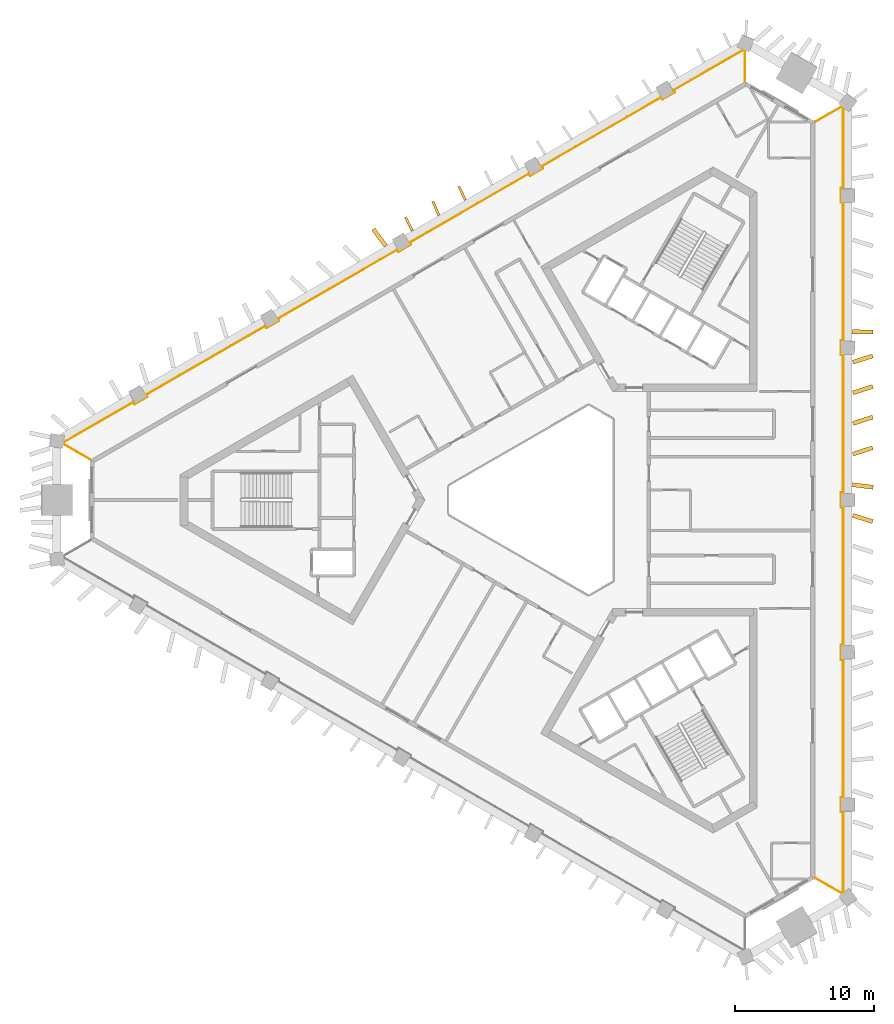
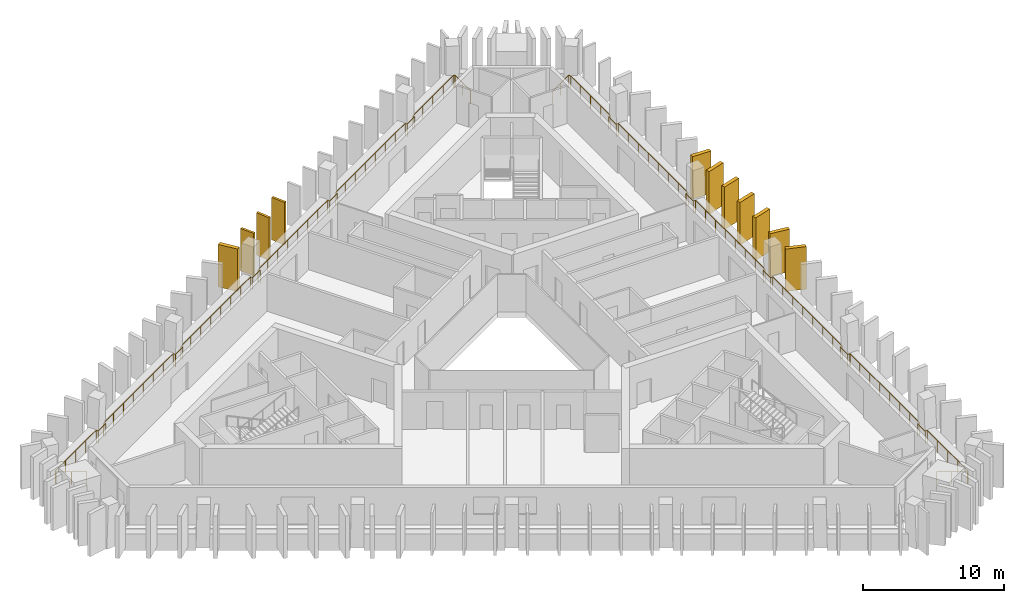
# One storey, part 9 of 10: 11 shading devices, 2 railings.
"""IFC4 building model written with IfcOpenShell, lengths in metres."""

from ifc_helpers import new_model, si_unit, direction, frame, frame_2d, origin, origin_2d, place, context, subcontext, project, spatial, rectangle, circle, extrude, material, layer, layer_set, type_object, element, save


model = new_model("IFC4")

# Units and contexts
model_context = context("Model", 3, precision=1e-05, world=origin(), true_north=direction((0.0, 1.0)))
body_context = subcontext(model_context, "Body", "Model", "MODEL_VIEW")
ifc_project = project(units=[si_unit("LENGTHUNIT", "METRE"), si_unit("AREAUNIT", "SQUARE_METRE"), si_unit("VOLUMEUNIT", "CUBIC_METRE"), si_unit("PLANEANGLEUNIT", "RADIAN"), si_unit("MASSUNIT", "GRAM", prefix="KILO")], contexts=[model_context])

# Site, building, storey
site_placement = place(None, origin())
site = spatial("IfcSite", under=ifc_project, at=site_placement, CompositionType="ELEMENT")
building_placement = place(site_placement, origin())
building = spatial("IfcBuilding", under=site, at=building_placement, Name="Jabali Bay Hotel Tower and Convention Centre", CompositionType="ELEMENT")
storey_placement = place(building_placement, frame((0.0, 0.0, 160.0)))
storey = spatial("IfcBuildingStorey", under=building, at=storey_placement, Name="L38", CompositionType="ELEMENT", Elevation=160.0)

# Railings
ifc_material_1 = material(Name="Glass", Category="glass")
railing_type = type_object("IfcRailingType", Name="Loggia glass guard 1100", PredefinedType="BALUSTRADE", material=ifc_material_1)
railing_1_placement = place(storey_placement, frame((94.075439453125, 107.197509765625, 0.0)))
element("IfcRailing", 1, at=railing_1_placement, inside=storey, type_object=railing_type, Name="Loggia glass guard L38", PredefinedType="BALUSTRADE", context=body_context, shape_type="SweptSolid", body=[
    extrude(circle(Radius=0.02490234375, at=origin_2d()), frame((0.0, 0.0, 1.0751953125), z_axis=(0.866055796367, 0.499947354807, 0.0), x_axis=(-0.495670235881, 0.858646568971, 0.13052619222)), (0.0, 0.0, 1.0), 2.192626953125),
    extrude(circle(Radius=0.02490234375, at=origin_2d()), frame((1.89892578125, 1.09619140625, 1.0751953125), z_axis=(0.801391566162, -0.598140081991, 0.0), x_axis=(0.593022910671, 0.79453555022, 0.13052619222)), (0.0, 0.0, 1.0), 0.126220703125),
    extrude(circle(Radius=0.02490234375, at=origin_2d()), frame((2.0, 1.020751953125, 1.0751953125), z_axis=(0.0, -1.0, 0.0), x_axis=(0.991444861374, 0.0, 0.13052619222)), (0.0, 0.0, 1.0), 5.785888671875),
    extrude(circle(Radius=0.02490234375, at=origin_2d()), frame((2.0, -4.76513671875, 1.0751953125), z_axis=(-1.0, 0.0, 0.0), x_axis=(0.0, -0.991444861374, 0.13052619222)), (0.0, 0.0, 1.0), 0.175048828125),
    extrude(circle(Radius=0.02490234375, at=origin_2d()), frame((1.824951171875, -4.76513671875, 1.0751953125), z_axis=(0.0, -1.0, 0.0), x_axis=(0.991444861374, 0.0, 0.13052619222)), (0.0, 0.0, 1.0), 1.050048828125),
    extrude(circle(Radius=0.02490234375, at=origin_2d()), frame((1.824951171875, -5.815185546875, 1.0751953125), z_axis=(1.0, 0.0, 0.0), x_axis=(0.0, 0.991444861374, 0.13052619222)), (0.0, 0.0, 1.0), 0.175048828125),
    extrude(circle(Radius=0.02490234375, at=origin_2d()), frame((2.0, -5.815185546875, 1.0751953125), z_axis=(0.0, -1.0, 0.0), x_axis=(0.991444861374, 0.0, 0.13052619222)), (0.0, 0.0, 1.0), 9.903564453125),
    extrude(circle(Radius=0.02490234375, at=origin_2d()), frame((2.0, -15.71875, 1.0751953125), z_axis=(-1.0, 0.0, 0.0), x_axis=(0.0, -0.991444861374, 0.13052619222)), (0.0, 0.0, 1.0), 0.175048828125),
    extrude(circle(Radius=0.02490234375, at=origin_2d()), frame((1.824951171875, -15.71875, 1.0751953125), z_axis=(0.0, -1.0, 0.0), x_axis=(0.991444861374, 0.0, 0.13052619222)), (0.0, 0.0, 1.0), 1.050048828125),
    extrude(circle(Radius=0.02490234375, at=origin_2d()), frame((1.824951171875, -16.768798828125, 1.0751953125), z_axis=(1.0, 0.0, 0.0), x_axis=(0.0, 0.991444861374, 0.13052619222)), (0.0, 0.0, 1.0), 0.175048828125),
    extrude(circle(Radius=0.02490234375, at=origin_2d()), frame((2.0, -16.768798828125, 1.0751953125), z_axis=(0.0, -1.0, 0.0), x_axis=(0.991444861374, 0.0, 0.13052619222)), (0.0, 0.0, 1.0), 9.90380859375),
    extrude(circle(Radius=0.02490234375, at=origin_2d()), frame((2.0, -26.672607421875, 1.0751953125), z_axis=(-1.0, 0.0, 0.0), x_axis=(0.0, -0.991444861374, 0.13052619222)), (0.0, 0.0, 1.0), 0.175048828125),
    extrude(circle(Radius=0.02490234375, at=origin_2d()), frame((1.824951171875, -26.672607421875, 1.0751953125), z_axis=(0.0, -1.0, 0.0), x_axis=(0.991444861374, 0.0, 0.13052619222)), (0.0, 0.0, 1.0), 1.0498046875),
    extrude(circle(Radius=0.02490234375, at=origin_2d()), frame((1.824951171875, -27.722412109375, 1.0751953125), z_axis=(1.0, 0.0, 0.0), x_axis=(0.0, 0.991444861374, 0.13052619222)), (0.0, 0.0, 1.0), 0.175048828125),
    extrude(circle(Radius=0.02490234375, at=origin_2d()), frame((2.0, -27.722412109375, 1.0751953125), z_axis=(0.0, -1.0, 0.0), x_axis=(0.991444861374, 0.0, 0.13052619222)), (0.0, 0.0, 1.0), 9.90380859375),
    extrude(circle(Radius=0.02490234375, at=origin_2d()), frame((2.0, -37.626220703125, 1.0751953125), z_axis=(-1.0, 0.0, 0.0), x_axis=(0.0, -0.991444861374, 0.13052619222)), (0.0, 0.0, 1.0), 0.175048828125),
    extrude(circle(Radius=0.02490234375, at=origin_2d()), frame((1.824951171875, -37.626220703125, 1.0751953125), z_axis=(0.0, -1.0, 0.0), x_axis=(0.991444861374, 0.0, 0.13052619222)), (0.0, 0.0, 1.0), 1.050048828125),
    extrude(circle(Radius=0.02490234375, at=origin_2d()), frame((1.824951171875, -38.67626953125, 1.0751953125), z_axis=(1.0, 0.0, 0.0), x_axis=(0.0, 0.991444861374, 0.13052619222)), (0.0, 0.0, 1.0), 0.175048828125),
    extrude(circle(Radius=0.02490234375, at=origin_2d()), frame((2.0, -38.67626953125, 1.0751953125), z_axis=(0.0, -1.0, 0.0), x_axis=(0.991444861374, 0.0, 0.13052619222)), (0.0, 0.0, 1.0), 9.903564453125),
    extrude(circle(Radius=0.02490234375, at=origin_2d()), frame((2.0, -48.579833984375, 1.0751953125), z_axis=(-1.0, 0.0, 0.0), x_axis=(0.0, -0.991444861374, 0.13052619222)), (0.0, 0.0, 1.0), 0.175048828125),
    extrude(circle(Radius=0.02490234375, at=origin_2d()), frame((1.824951171875, -48.579833984375, 1.0751953125), z_axis=(0.0, -1.0, 0.0), x_axis=(0.991444861374, 0.0, 0.13052619222)), (0.0, 0.0, 1.0), 1.050048828125),
    extrude(circle(Radius=0.02490234375, at=origin_2d()), frame((1.824951171875, -49.6298828125, 1.0751953125), z_axis=(1.0, 0.0, 0.0), x_axis=(0.0, 0.991444861374, 0.13052619222)), (0.0, 0.0, 1.0), 0.175048828125),
    extrude(circle(Radius=0.02490234375, at=origin_2d()), frame((2.0, -49.6298828125, 1.0751953125), z_axis=(0.0, -1.0, 0.0), x_axis=(0.991444861374, 0.0, 0.13052619222)), (0.0, 0.0, 1.0), 5.785888671875),
    extrude(circle(Radius=0.02490234375, at=origin_2d()), frame((2.0, -55.415771484375, 1.0751953125), z_axis=(-0.801391566162, -0.598140081991, 0.0), x_axis=(0.593022910671, -0.79453555022, 0.13052619222)), (0.0, 0.0, 1.0), 0.126220703125),
    extrude(circle(Radius=0.02490234375, at=origin_2d()), frame((1.89892578125, -55.4912109375, 1.0751953125), z_axis=(-0.866055796367, 0.499947354807, 0.0), x_axis=(-0.495670235881, -0.858646568971, 0.13052619222)), (0.0, 0.0, 1.0), 2.192626953125),
    extrude(circle(Radius=0.02001953125, at=origin_2d()), origin(), (0.0, 0.0, 1.0), 1.050048828125),
    extrude(circle(Radius=0.02001953125, at=origin_2d()), frame((0.949462890625, 0.548095703125, 0.0)), (0.0, 0.0, 1.0), 1.050048828125),
    extrude(circle(Radius=0.02001953125, at=origin_2d()), frame((1.89892578125, 1.09619140625, 0.0)), (0.0, 0.0, 1.0), 1.050048828125),
    extrude(circle(Radius=0.02001953125, at=origin_2d()), frame((2.0, 1.020751953125, 0.0)), (0.0, 0.0, 1.0), 1.050048828125),
    extrude(circle(Radius=0.02001953125, at=origin_2d()), frame((2.0, -0.42578125, 0.0)), (0.0, 0.0, 1.0), 1.050048828125),
    extrude(circle(Radius=0.02001953125, at=origin_2d()), frame((2.0, -1.8720703125, 0.0)), (0.0, 0.0, 1.0), 1.050048828125),
    extrude(circle(Radius=0.02001953125, at=origin_2d()), frame((2.0, -3.318603515625, 0.0)), (0.0, 0.0, 1.0), 1.050048828125),
    extrude(circle(Radius=0.02001953125, at=origin_2d()), frame((2.0, -4.76513671875, 0.0)), (0.0, 0.0, 1.0), 1.050048828125),
    extrude(circle(Radius=0.02001953125, at=origin_2d()), frame((1.824951171875, -4.76513671875, 0.0)), (0.0, 0.0, 1.0), 1.050048828125),
    extrude(circle(Radius=0.02001953125, at=origin_2d()), frame((1.824951171875, -5.815185546875, 0.0)), (0.0, 0.0, 1.0), 1.050048828125),
    extrude(circle(Radius=0.02001953125, at=origin_2d()), frame((2.0, -5.815185546875, 0.0)), (0.0, 0.0, 1.0), 1.050048828125),
    extrude(circle(Radius=0.02001953125, at=origin_2d()), frame((2.0, -7.22998046875, 0.0)), (0.0, 0.0, 1.0), 1.050048828125),
    extrude(circle(Radius=0.02001953125, at=origin_2d()), frame((2.0, -8.644775390625, 0.0)), (0.0, 0.0, 1.0), 1.050048828125),
    extrude(circle(Radius=0.02001953125, at=origin_2d()), frame((2.0, -10.0595703125, 0.0)), (0.0, 0.0, 1.0), 1.050048828125),
    extrude(circle(Radius=0.02001953125, at=origin_2d()), frame((2.0, -11.474365234375, 0.0)), (0.0, 0.0, 1.0), 1.050048828125),
    extrude(circle(Radius=0.02001953125, at=origin_2d()), frame((2.0, -12.88916015625, 0.0)), (0.0, 0.0, 1.0), 1.050048828125),
    extrude(circle(Radius=0.02001953125, at=origin_2d()), frame((2.0, -14.303955078125, 0.0)), (0.0, 0.0, 1.0), 1.050048828125),
    extrude(circle(Radius=0.02001953125, at=origin_2d()), frame((2.0, -15.71875, 0.0)), (0.0, 0.0, 1.0), 1.050048828125),
    extrude(circle(Radius=0.02001953125, at=origin_2d()), frame((1.824951171875, -15.71875, 0.0)), (0.0, 0.0, 1.0), 1.050048828125),
    extrude(circle(Radius=0.02001953125, at=origin_2d()), frame((1.824951171875, -16.768798828125, 0.0)), (0.0, 0.0, 1.0), 1.050048828125),
    extrude(circle(Radius=0.02001953125, at=origin_2d()), frame((2.0, -16.768798828125, 0.0)), (0.0, 0.0, 1.0), 1.050048828125),
    extrude(circle(Radius=0.02001953125, at=origin_2d()), frame((2.0, -18.18359375, 0.0)), (0.0, 0.0, 1.0), 1.050048828125),
    extrude(circle(Radius=0.02001953125, at=origin_2d()), frame((2.0, -19.598388671875, 0.0)), (0.0, 0.0, 1.0), 1.050048828125),
    extrude(circle(Radius=0.02001953125, at=origin_2d()), frame((2.0, -21.01318359375, 0.0)), (0.0, 0.0, 1.0), 1.050048828125),
    extrude(circle(Radius=0.02001953125, at=origin_2d()), frame((2.0, -22.42822265625, 0.0)), (0.0, 0.0, 1.0), 1.050048828125),
    extrude(circle(Radius=0.02001953125, at=origin_2d()), frame((2.0, -23.843017578125, 0.0)), (0.0, 0.0, 1.0), 1.050048828125),
    extrude(circle(Radius=0.02001953125, at=origin_2d()), frame((2.0, -25.2578125, 0.0)), (0.0, 0.0, 1.0), 1.050048828125),
    extrude(circle(Radius=0.02001953125, at=origin_2d()), frame((2.0, -26.672607421875, 0.0)), (0.0, 0.0, 1.0), 1.050048828125),
    extrude(circle(Radius=0.02001953125, at=origin_2d()), frame((1.824951171875, -26.672607421875, 0.0)), (0.0, 0.0, 1.0), 1.050048828125),
    extrude(circle(Radius=0.02001953125, at=origin_2d()), frame((1.824951171875, -27.722412109375, 0.0)), (0.0, 0.0, 1.0), 1.050048828125),
    extrude(circle(Radius=0.02001953125, at=origin_2d()), frame((2.0, -27.722412109375, 0.0)), (0.0, 0.0, 1.0), 1.050048828125),
    extrude(circle(Radius=0.02001953125, at=origin_2d()), frame((2.0, -29.13720703125, 0.0)), (0.0, 0.0, 1.0), 1.050048828125),
    extrude(circle(Radius=0.02001953125, at=origin_2d()), frame((2.0, -30.552001953125, 0.0)), (0.0, 0.0, 1.0), 1.050048828125),
    extrude(circle(Radius=0.02001953125, at=origin_2d()), frame((2.0, -31.966796875, 0.0)), (0.0, 0.0, 1.0), 1.050048828125),
    extrude(circle(Radius=0.02001953125, at=origin_2d()), frame((2.0, -33.3818359375, 0.0)), (0.0, 0.0, 1.0), 1.050048828125),
    extrude(circle(Radius=0.02001953125, at=origin_2d()), frame((2.0, -34.796630859375, 0.0)), (0.0, 0.0, 1.0), 1.050048828125),
    extrude(circle(Radius=0.02001953125, at=origin_2d()), frame((2.0, -36.21142578125, 0.0)), (0.0, 0.0, 1.0), 1.050048828125),
    extrude(circle(Radius=0.02001953125, at=origin_2d()), frame((2.0, -37.626220703125, 0.0)), (0.0, 0.0, 1.0), 1.050048828125),
    extrude(circle(Radius=0.02001953125, at=origin_2d()), frame((1.824951171875, -37.626220703125, 0.0)), (0.0, 0.0, 1.0), 1.050048828125),
    extrude(circle(Radius=0.02001953125, at=origin_2d()), frame((1.824951171875, -38.67626953125, 0.0)), (0.0, 0.0, 1.0), 1.050048828125),
    extrude(circle(Radius=0.02001953125, at=origin_2d()), frame((2.0, -38.67626953125, 0.0)), (0.0, 0.0, 1.0), 1.050048828125),
    extrude(circle(Radius=0.02001953125, at=origin_2d()), frame((2.0, -40.091064453125, 0.0)), (0.0, 0.0, 1.0), 1.050048828125),
    extrude(circle(Radius=0.02001953125, at=origin_2d()), frame((2.0, -41.505859375, 0.0)), (0.0, 0.0, 1.0), 1.050048828125),
    extrude(circle(Radius=0.02001953125, at=origin_2d()), frame((2.0, -42.920654296875, 0.0)), (0.0, 0.0, 1.0), 1.050048828125),
    extrude(circle(Radius=0.02001953125, at=origin_2d()), frame((2.0, -44.33544921875, 0.0)), (0.0, 0.0, 1.0), 1.050048828125),
    extrude(circle(Radius=0.02001953125, at=origin_2d()), frame((2.0, -45.750244140625, 0.0)), (0.0, 0.0, 1.0), 1.050048828125),
    extrude(circle(Radius=0.02001953125, at=origin_2d()), frame((2.0, -47.1650390625, 0.0)), (0.0, 0.0, 1.0), 1.050048828125),
    extrude(circle(Radius=0.02001953125, at=origin_2d()), frame((2.0, -48.579833984375, 0.0)), (0.0, 0.0, 1.0), 1.050048828125),
    extrude(circle(Radius=0.02001953125, at=origin_2d()), frame((1.824951171875, -48.579833984375, 0.0)), (0.0, 0.0, 1.0), 1.050048828125),
    extrude(circle(Radius=0.02001953125, at=origin_2d()), frame((1.824951171875, -49.6298828125, 0.0)), (0.0, 0.0, 1.0), 1.050048828125),
    extrude(circle(Radius=0.02001953125, at=origin_2d()), frame((2.0, -49.6298828125, 0.0)), (0.0, 0.0, 1.0), 1.050048828125),
    extrude(circle(Radius=0.02001953125, at=origin_2d()), frame((2.0, -51.076416015625, 0.0)), (0.0, 0.0, 1.0), 1.050048828125),
    extrude(circle(Radius=0.02001953125, at=origin_2d()), frame((2.0, -52.52294921875, 0.0)), (0.0, 0.0, 1.0), 1.050048828125),
    extrude(circle(Radius=0.02001953125, at=origin_2d()), frame((2.0, -53.96923828125, 0.0)), (0.0, 0.0, 1.0), 1.050048828125),
    extrude(circle(Radius=0.02001953125, at=origin_2d()), frame((2.0, -55.415771484375, 0.0)), (0.0, 0.0, 1.0), 1.050048828125),
    extrude(circle(Radius=0.02001953125, at=origin_2d()), frame((1.89892578125, -55.4912109375, 0.0)), (0.0, 0.0, 1.0), 1.050048828125),
    extrude(circle(Radius=0.02001953125, at=origin_2d()), frame((0.949462890625, -54.943115234375, 0.0)), (0.0, 0.0, 1.0), 1.050048828125),
    extrude(circle(Radius=0.02001953125, at=origin_2d()), frame((0.0, -54.39501953125, 0.0)), (0.0, 0.0, 1.0), 1.050048828125),
])
railing_2_placement = place(storey_placement, frame((41.90869140625, 82.921142578125, 0.0)))
element("IfcRailing", 2, at=railing_2_placement, inside=storey, type_object=railing_type, Name="Loggia glass guard L38", PredefinedType="BALUSTRADE", context=body_context, shape_type="SweptSolid", body=[
    extrude(circle(Radius=0.02490234375, at=origin_2d()), frame((0.0, 0.0, 1.0751953125), z_axis=(-0.866007583809, 0.500030863832, 0.0), x_axis=(-0.495753030475, -0.858598768878, 0.13052619222)), (0.0, 0.0, 1.0), 2.192626953125),
    extrude(circle(Radius=0.02490234375, at=origin_2d()), frame((-1.89892578125, 1.096435546875, 1.0751953125), z_axis=(0.118076557849, 0.993004494696, 0.0), x_axis=(-0.984509203588, 0.117066396528, 0.13052619222)), (0.0, 0.0, 1.0), 0.126220703125),
    extrude(circle(Radius=0.02490234375, at=origin_2d()), frame((-1.884033203125, 1.2216796875, 1.0751953125), z_axis=(0.86603521404, 0.499983007755, 0.0), x_axis=(-0.495705583813, 0.858626162728, 0.13052619222)), (0.0, 0.0, 1.0), 5.785888671875),
    extrude(circle(Radius=0.02490234375, at=origin_2d()), frame((3.126708984375, 4.114501953125, 1.0751953125), z_axis=(0.500044870432, -0.865999496279, 0.0), x_axis=(0.858590750538, 0.495766917246, 0.13052619222)), (0.0, 0.0, 1.0), 0.1748046875),
    extrude(circle(Radius=0.02490234375, at=origin_2d()), frame((3.214111328125, 3.963134765625, 1.0751953125), z_axis=(0.866088799389, 0.499890179513, 0.0), x_axis=(-0.495613549729, 0.858679289647, 0.13052619222)), (0.0, 0.0, 1.0), 1.050048828125),
    extrude(circle(Radius=0.02490234375, at=origin_2d()), frame((4.12353515625, 4.488037109375, 1.0751953125), z_axis=(-0.500486622847, 0.865744269604, 0.0), x_axis=(-0.858337707362, -0.496204890408, 0.13052619222)), (0.0, 0.0, 1.0), 0.175048828125),
    extrude(circle(Radius=0.02490234375, at=origin_2d()), frame((4.035888671875, 4.6396484375, 1.0751953125), z_axis=(0.866034928513, 0.499983502323, 0.0), x_axis=(-0.49570607415, 0.858625879645, 0.13052619222)), (0.0, 0.0, 1.0), 9.903564453125),
    extrude(circle(Radius=0.02490234375, at=origin_2d()), frame((12.61279296875, 9.59130859375, 1.0751953125), z_axis=(0.500044870432, -0.865999496279, 0.0), x_axis=(0.858590750538, 0.495766917246, 0.13052619222)), (0.0, 0.0, 1.0), 0.1748046875),
    extrude(circle(Radius=0.02490234375, at=origin_2d()), frame((12.7001953125, 9.43994140625, 1.0751953125), z_axis=(0.866088799389, 0.499890179513, 0.0), x_axis=(-0.495613549729, 0.858679289647, 0.13052619222)), (0.0, 0.0, 1.0), 1.050048828125),
    extrude(circle(Radius=0.02490234375, at=origin_2d()), frame((13.609619140625, 9.96484375, 1.0751953125), z_axis=(-0.499440622861, 0.866348119543, 0.0), x_axis=(-0.858936391282, -0.495167839097, 0.13052619222)), (0.0, 0.0, 1.0), 0.175048828125),
    extrude(circle(Radius=0.02490234375, at=origin_2d()), frame((13.522216796875, 10.116455078125, 1.0751953125), z_axis=(0.866028765826, 0.499994176729, 0.0), x_axis=(-0.495716657234, 0.85861976968, 0.13052619222)), (0.0, 0.0, 1.0), 9.9033203125),
    extrude(circle(Radius=0.02490234375, at=origin_2d()), frame((22.098876953125, 15.068115234375, 1.0751953125), z_axis=(0.501091290591, -0.865394429433, 0.0), x_axis=(0.857990860123, 0.496804385136, 0.13052619222)), (0.0, 0.0, 1.0), 0.1748046875),
    extrude(circle(Radius=0.02490234375, at=origin_2d()), frame((22.1865234375, 14.916748046875, 1.0751953125), z_axis=(0.866030680601, 0.499990860175, 0.0), x_axis=(-0.495713369054, 0.858621668074, 0.13052619222)), (0.0, 0.0, 1.0), 1.0498046875),
    extrude(circle(Radius=0.02490234375, at=origin_2d()), frame((23.095703125, 15.441650390625, 1.0751953125), z_axis=(-0.499440622861, 0.866348119543, 0.0), x_axis=(-0.858936391282, -0.495167839097, 0.13052619222)), (0.0, 0.0, 1.0), 0.175048828125),
    extrude(circle(Radius=0.02490234375, at=origin_2d()), frame((23.00830078125, 15.59326171875, 1.0751953125), z_axis=(0.866018091164, 0.500012665616, 0.0), x_axis=(-0.495734987947, 0.858609186342, 0.13052619222)), (0.0, 0.0, 1.0), 9.903564453125),
    extrude(circle(Radius=0.02490234375, at=origin_2d()), frame((31.5849609375, 20.545166015625, 1.0751953125), z_axis=(0.500486622847, -0.865744269604, 0.0), x_axis=(0.858337707362, 0.496204890408, 0.13052619222)), (0.0, 0.0, 1.0), 0.175048828125),
    extrude(circle(Radius=0.02490234375, at=origin_2d()), frame((31.672607421875, 20.3935546875, 1.0751953125), z_axis=(0.866030680601, 0.499990860175, 0.0), x_axis=(-0.495713369054, 0.858621668074, 0.13052619222)), (0.0, 0.0, 1.0), 1.0498046875),
    extrude(circle(Radius=0.02490234375, at=origin_2d()), frame((32.581787109375, 20.91845703125, 1.0751953125), z_axis=(-0.499440622861, 0.866348119543, 0.0), x_axis=(-0.858936391282, -0.495167839097, 0.13052619222)), (0.0, 0.0, 1.0), 0.175048828125),
    extrude(circle(Radius=0.02490234375, at=origin_2d()), frame((32.494384765625, 21.070068359375, 1.0751953125), z_axis=(0.866024254232, 0.500001991079, 0.0), x_axis=(-0.495724404732, 0.858615296683, 0.13052619222)), (0.0, 0.0, 1.0), 9.90380859375),
    extrude(circle(Radius=0.02490234375, at=origin_2d()), frame((41.0712890625, 26.02197265625, 1.0751953125), z_axis=(0.499440622861, -0.866348119543, 0.0), x_axis=(0.858936391282, 0.495167839097, 0.13052619222)), (0.0, 0.0, 1.0), 0.175048828125),
    extrude(circle(Radius=0.02490234375, at=origin_2d()), frame((41.15869140625, 25.870361328125, 1.0751953125), z_axis=(0.866088799389, 0.499890179513, 0.0), x_axis=(-0.495613549729, 0.858679289647, 0.13052619222)), (0.0, 0.0, 1.0), 1.050048828125),
    extrude(circle(Radius=0.02490234375, at=origin_2d()), frame((42.068115234375, 26.395263671875, 1.0751953125), z_axis=(-0.500486622847, 0.865744269604, 0.0), x_axis=(-0.858337707362, -0.496204890408, 0.13052619222)), (0.0, 0.0, 1.0), 0.175048828125),
    extrude(circle(Radius=0.02490234375, at=origin_2d()), frame((41.98046875, 26.546875, 1.0751953125), z_axis=(0.86603521404, 0.499983007755, 0.0), x_axis=(-0.495705583813, 0.858626162728, 0.13052619222)), (0.0, 0.0, 1.0), 5.785888671875),
    extrude(circle(Radius=0.02490234375, at=origin_2d()), frame((46.9912109375, 29.439697265625, 1.0751953125), z_axis=(0.9195450827, -0.39298453008, 0.0), x_axis=(0.389622492947, 0.911678247044, 0.13052619222)), (0.0, 0.0, 1.0), 0.126220703125),
    extrude(circle(Radius=0.02490234375, at=origin_2d()), frame((47.107177734375, 29.39013671875, 1.0751953125), z_axis=(0.0, -1.0, 0.0), x_axis=(0.991444861374, 0.0, 0.13052619222)), (0.0, 0.0, 1.0), 2.19287109375),
    extrude(circle(Radius=0.02001953125, at=origin_2d()), origin(), (0.0, 0.0, 1.0), 1.050048828125),
    extrude(circle(Radius=0.02001953125, at=origin_2d()), frame((-0.949462890625, 0.54833984375, 0.0)), (0.0, 0.0, 1.0), 1.050048828125),
    extrude(circle(Radius=0.02001953125, at=origin_2d()), frame((-1.89892578125, 1.096435546875, 0.0)), (0.0, 0.0, 1.0), 1.050048828125),
    extrude(circle(Radius=0.02001953125, at=origin_2d()), frame((-1.884033203125, 1.2216796875, 0.0)), (0.0, 0.0, 1.0), 1.050048828125),
    extrude(circle(Radius=0.02001953125, at=origin_2d()), frame((-0.63134765625, 1.94482421875, 0.0)), (0.0, 0.0, 1.0), 1.050048828125),
    extrude(circle(Radius=0.02001953125, at=origin_2d()), frame((0.621337890625, 2.66796875, 0.0)), (0.0, 0.0, 1.0), 1.050048828125),
    extrude(circle(Radius=0.02001953125, at=origin_2d()), frame((1.8740234375, 3.391357421875, 0.0)), (0.0, 0.0, 1.0), 1.050048828125),
    extrude(circle(Radius=0.02001953125, at=origin_2d()), frame((3.126708984375, 4.114501953125, 0.0)), (0.0, 0.0, 1.0), 1.050048828125),
    extrude(circle(Radius=0.02001953125, at=origin_2d()), frame((3.214111328125, 3.963134765625, 0.0)), (0.0, 0.0, 1.0), 1.050048828125),
    extrude(circle(Radius=0.02001953125, at=origin_2d()), frame((4.12353515625, 4.488037109375, 0.0)), (0.0, 0.0, 1.0), 1.050048828125),
    extrude(circle(Radius=0.02001953125, at=origin_2d()), frame((4.035888671875, 4.6396484375, 0.0)), (0.0, 0.0, 1.0), 1.050048828125),
    extrude(circle(Radius=0.02001953125, at=origin_2d()), frame((5.26123046875, 5.346923828125, 0.0)), (0.0, 0.0, 1.0), 1.050048828125),
    extrude(circle(Radius=0.02001953125, at=origin_2d()), frame((6.486328125, 6.054443359375, 0.0)), (0.0, 0.0, 1.0), 1.050048828125),
    extrude(circle(Radius=0.02001953125, at=origin_2d()), frame((7.711669921875, 6.76171875, 0.0)), (0.0, 0.0, 1.0), 1.050048828125),
    extrude(circle(Radius=0.02001953125, at=origin_2d()), frame((8.93701171875, 7.46923828125, 0.0)), (0.0, 0.0, 1.0), 1.050048828125),
    extrude(circle(Radius=0.02001953125, at=origin_2d()), frame((10.162353515625, 8.176513671875, 0.0)), (0.0, 0.0, 1.0), 1.050048828125),
    extrude(circle(Radius=0.02001953125, at=origin_2d()), frame((11.387451171875, 8.884033203125, 0.0)), (0.0, 0.0, 1.0), 1.050048828125),
    extrude(circle(Radius=0.02001953125, at=origin_2d()), frame((12.61279296875, 9.59130859375, 0.0)), (0.0, 0.0, 1.0), 1.050048828125),
    extrude(circle(Radius=0.02001953125, at=origin_2d()), frame((12.7001953125, 9.43994140625, 0.0)), (0.0, 0.0, 1.0), 1.050048828125),
    extrude(circle(Radius=0.02001953125, at=origin_2d()), frame((13.609619140625, 9.96484375, 0.0)), (0.0, 0.0, 1.0), 1.050048828125),
    extrude(circle(Radius=0.02001953125, at=origin_2d()), frame((13.522216796875, 10.116455078125, 0.0)), (0.0, 0.0, 1.0), 1.050048828125),
    extrude(circle(Radius=0.02001953125, at=origin_2d()), frame((14.74755859375, 10.82373046875, 0.0)), (0.0, 0.0, 1.0), 1.050048828125),
    extrude(circle(Radius=0.02001953125, at=origin_2d()), frame((15.97265625, 11.53125, 0.0)), (0.0, 0.0, 1.0), 1.050048828125),
    extrude(circle(Radius=0.02001953125, at=origin_2d()), frame((17.197998046875, 12.238525390625, 0.0)), (0.0, 0.0, 1.0), 1.050048828125),
    extrude(circle(Radius=0.02001953125, at=origin_2d()), frame((18.423095703125, 12.946044921875, 0.0)), (0.0, 0.0, 1.0), 1.050048828125),
    extrude(circle(Radius=0.02001953125, at=origin_2d()), frame((19.6484375, 13.6533203125, 0.0)), (0.0, 0.0, 1.0), 1.050048828125),
    extrude(circle(Radius=0.02001953125, at=origin_2d()), frame((20.87353515625, 14.36083984375, 0.0)), (0.0, 0.0, 1.0), 1.050048828125),
    extrude(circle(Radius=0.02001953125, at=origin_2d()), frame((22.098876953125, 15.068115234375, 0.0)), (0.0, 0.0, 1.0), 1.050048828125),
    extrude(circle(Radius=0.02001953125, at=origin_2d()), frame((22.1865234375, 14.916748046875, 0.0)), (0.0, 0.0, 1.0), 1.050048828125),
    extrude(circle(Radius=0.02001953125, at=origin_2d()), frame((23.095703125, 15.441650390625, 0.0)), (0.0, 0.0, 1.0), 1.050048828125),
    extrude(circle(Radius=0.02001953125, at=origin_2d()), frame((23.00830078125, 15.59326171875, 0.0)), (0.0, 0.0, 1.0), 1.050048828125),
    extrude(circle(Radius=0.02001953125, at=origin_2d()), frame((24.233642578125, 16.30078125, 0.0)), (0.0, 0.0, 1.0), 1.050048828125),
    extrude(circle(Radius=0.02001953125, at=origin_2d()), frame((25.458740234375, 17.008056640625, 0.0)), (0.0, 0.0, 1.0), 1.050048828125),
    extrude(circle(Radius=0.02001953125, at=origin_2d()), frame((26.68408203125, 17.715576171875, 0.0)), (0.0, 0.0, 1.0), 1.050048828125),
    extrude(circle(Radius=0.02001953125, at=origin_2d()), frame((27.9091796875, 18.4228515625, 0.0)), (0.0, 0.0, 1.0), 1.050048828125),
    extrude(circle(Radius=0.02001953125, at=origin_2d()), frame((29.134521484375, 19.13037109375, 0.0)), (0.0, 0.0, 1.0), 1.050048828125),
    extrude(circle(Radius=0.02001953125, at=origin_2d()), frame((30.359619140625, 19.837646484375, 0.0)), (0.0, 0.0, 1.0), 1.050048828125),
    extrude(circle(Radius=0.02001953125, at=origin_2d()), frame((31.5849609375, 20.545166015625, 0.0)), (0.0, 0.0, 1.0), 1.050048828125),
    extrude(circle(Radius=0.02001953125, at=origin_2d()), frame((31.672607421875, 20.3935546875, 0.0)), (0.0, 0.0, 1.0), 1.050048828125),
    extrude(circle(Radius=0.02001953125, at=origin_2d()), frame((32.581787109375, 20.91845703125, 0.0)), (0.0, 0.0, 1.0), 1.050048828125),
    extrude(circle(Radius=0.02001953125, at=origin_2d()), frame((32.494384765625, 21.070068359375, 0.0)), (0.0, 0.0, 1.0), 1.050048828125),
    extrude(circle(Radius=0.02001953125, at=origin_2d()), frame((33.7197265625, 21.777587890625, 0.0)), (0.0, 0.0, 1.0), 1.050048828125),
    extrude(circle(Radius=0.02001953125, at=origin_2d()), frame((34.94482421875, 22.48486328125, 0.0)), (0.0, 0.0, 1.0), 1.050048828125),
    extrude(circle(Radius=0.02001953125, at=origin_2d()), frame((36.170166015625, 23.1923828125, 0.0)), (0.0, 0.0, 1.0), 1.050048828125),
    extrude(circle(Radius=0.02001953125, at=origin_2d()), frame((37.3955078125, 23.899658203125, 0.0)), (0.0, 0.0, 1.0), 1.050048828125),
    extrude(circle(Radius=0.02001953125, at=origin_2d()), frame((38.620849609375, 24.607177734375, 0.0)), (0.0, 0.0, 1.0), 1.050048828125),
    extrude(circle(Radius=0.02001953125, at=origin_2d()), frame((39.845947265625, 25.314453125, 0.0)), (0.0, 0.0, 1.0), 1.050048828125),
    extrude(circle(Radius=0.02001953125, at=origin_2d()), frame((41.0712890625, 26.02197265625, 0.0)), (0.0, 0.0, 1.0), 1.050048828125),
    extrude(circle(Radius=0.02001953125, at=origin_2d()), frame((41.15869140625, 25.870361328125, 0.0)), (0.0, 0.0, 1.0), 1.050048828125),
    extrude(circle(Radius=0.02001953125, at=origin_2d()), frame((42.068115234375, 26.395263671875, 0.0)), (0.0, 0.0, 1.0), 1.050048828125),
    extrude(circle(Radius=0.02001953125, at=origin_2d()), frame((41.98046875, 26.546875, 0.0)), (0.0, 0.0, 1.0), 1.050048828125),
    extrude(circle(Radius=0.02001953125, at=origin_2d()), frame((43.233154296875, 27.27001953125, 0.0)), (0.0, 0.0, 1.0), 1.050048828125),
    extrude(circle(Radius=0.02001953125, at=origin_2d()), frame((44.48583984375, 27.9931640625, 0.0)), (0.0, 0.0, 1.0), 1.050048828125),
    extrude(circle(Radius=0.02001953125, at=origin_2d()), frame((45.738525390625, 28.716552734375, 0.0)), (0.0, 0.0, 1.0), 1.050048828125),
    extrude(circle(Radius=0.02001953125, at=origin_2d()), frame((46.9912109375, 29.439697265625, 0.0)), (0.0, 0.0, 1.0), 1.050048828125),
    extrude(circle(Radius=0.02001953125, at=origin_2d()), frame((47.107177734375, 29.39013671875, 0.0)), (0.0, 0.0, 1.0), 1.050048828125),
    extrude(circle(Radius=0.02001953125, at=origin_2d()), frame((47.107177734375, 28.293701171875, 0.0)), (0.0, 0.0, 1.0), 1.050048828125),
    extrude(circle(Radius=0.02001953125, at=origin_2d()), frame((47.107177734375, 27.197265625, 0.0)), (0.0, 0.0, 1.0), 1.050048828125),
])

# Shading devices
ifc_material_2 = material(Name="Precast concrete C60", Category="concrete")
ifc_layer_1 = layer(ifc_material_2, 0.179931640625)
ifc_layer_set_1 = layer_set([ifc_layer_1], Name="Precast concrete C60")
shading_device_type_1 = type_object("IfcShadingDeviceType", Name="Precast fin 3680 x 1100", PredefinedType="USERDEFINED", material=ifc_layer_set_1)
for number, where, z_axis, x_axis, name in (
    (3, (68.90234375, 101.56591796875, 0.010009765625), (0.0, 0.0, 1.0), (-0.424973938629, 0.905205585205, 0.0), "Fin L38 044"),
    (4, (66.994873046875, 100.468017578125, 0.010009765625), (0.0, 0.0, 1.0), (-0.395258115859, 0.918570096317, 0.0), "Fin L38 045"),
):
    element("IfcShadingDevice", number, at=place(storey_placement, frame(where, z_axis=z_axis, x_axis=x_axis)), inside=storey, type_object=shading_device_type_1, Name=name, ObjectType="FIN", PredefinedType="USERDEFINED", context=body_context, shape_type="SweptSolid", body=[
        extrude(rectangle(XDim=1.10009765625, YDim=0.179931640625, at=frame_2d((0.550048828125, 0.0))), origin(), (0.0, 0.0, 1.0), 3.679931640625),
    ])
shading_device_1_placement = place(storey_placement, frame((65.091552734375, 99.36279296875, 0.010009765625), z_axis=(0.0, 0.0, 1.0), x_axis=(-0.451736326023, 0.892151495964, 0.0)))
element("IfcShadingDevice", 5, at=shading_device_1_placement, inside=storey, type_object=shading_device_type_1, Name="Fin L38 046", ObjectType="FIN", PredefinedType="USERDEFINED", context=body_context, shape_type="SweptSolid", body=[
    extrude(rectangle(XDim=1.099853515625, YDim=0.179931640625, at=frame_2d((0.5498046875, 0.0))), origin(), (0.0, 0.0, 1.0), 3.679931640625),
])
ifc_layer_2 = layer(ifc_material_2, 0.300048828125)
ifc_layer_set_2 = layer_set([ifc_layer_2], Name="Precast concrete C60")
shading_device_type_2 = type_object("IfcShadingDeviceType", Name="Precast fin 3680 x 1500", PredefinedType="USERDEFINED", material=ifc_layer_set_2)
for number, where, z_axis, x_axis, name in (
    (6, (96.763916015625, 78.899658203125, 0.010009765625), (0.0, 0.0, 1.0), (0.951777621698, -0.30678878538, 0.0), "Fin L38 012"),
    (7, (96.736572265625, 81.100341796875, 0.010009765625), (0.0, 0.0, 1.0), (0.992217662257, -0.124515503876, 0.0), "Fin L38 013"),
    (8, (96.763916015625, 83.30126953125, 0.010009765625), (0.0, 0.0, 1.0), (0.951777621698, 0.30678878538, 0.0), "Fin L38 014"),
    (9, (96.763916015625, 85.502197265625, 0.010009765625), (0.0, 0.0, 1.0), (0.951777621698, 0.30678878538, 0.0), "Fin L38 015"),
    (10, (96.763916015625, 87.703125, 0.010009765625), (0.0, 0.0, 1.0), (0.951777621698, 0.30678878538, 0.0), "Fin L38 016"),
    (11, (96.763916015625, 89.904052734375, 0.010009765625), (0.0, 0.0, 1.0), (0.951777621698, 0.30678878538, 0.0), "Fin L38 017"),
):
    element("IfcShadingDevice", number, at=place(storey_placement, frame(where, z_axis=z_axis, x_axis=x_axis)), inside=storey, type_object=shading_device_type_2, Name=name, ObjectType="FIN", PredefinedType="USERDEFINED", context=body_context, shape_type="SweptSolid", body=[
        extrude(rectangle(XDim=1.5, YDim=0.300048828125, at=frame_2d((0.75, 0.0))), origin(), (0.0, 0.0, 1.0), 3.679931640625),
    ])
shading_device_2_placement = place(storey_placement, frame((96.72119140625, 92.10498046875, 0.010009765625), z_axis=(0.0, 0.0, 1.0), x_axis=(0.999747766476, -0.022458927523, 0.0)))
element("IfcShadingDevice", 12, at=shading_device_2_placement, inside=storey, type_object=shading_device_type_2, Name="Fin L38 018", ObjectType="FIN", PredefinedType="USERDEFINED", context=body_context, shape_type="SweptSolid", body=[
    extrude(rectangle(XDim=1.500244140625, YDim=0.300048828125, at=frame_2d((0.75, 0.0))), origin(), (0.0, 0.0, 1.0), 3.679931640625),
])
shading_device_3_placement = place(storey_placement, frame((63.179443359375, 98.27294921875, 0.010009765625), z_axis=(0.0, 0.0, 1.0), x_axis=(-0.596060250765, 0.802939709728, 0.0)))
element("IfcShadingDevice", 13, at=shading_device_3_placement, inside=storey, type_object=shading_device_type_2, Name="Fin L38 047", ObjectType="FIN", PredefinedType="USERDEFINED", context=body_context, shape_type="SweptSolid", body=[
    extrude(rectangle(XDim=1.5, YDim=0.300048828125, at=frame_2d((0.75, 0.0))), origin(), (0.0, 0.0, 1.0), 3.679931640625),
])

save(model, "model.ifc")
